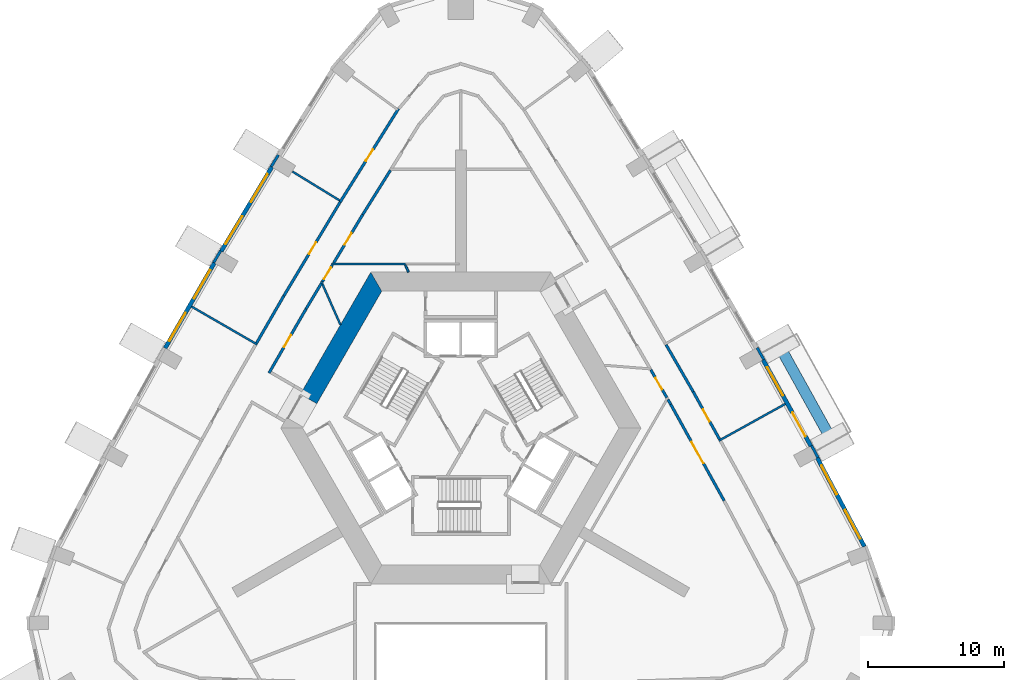
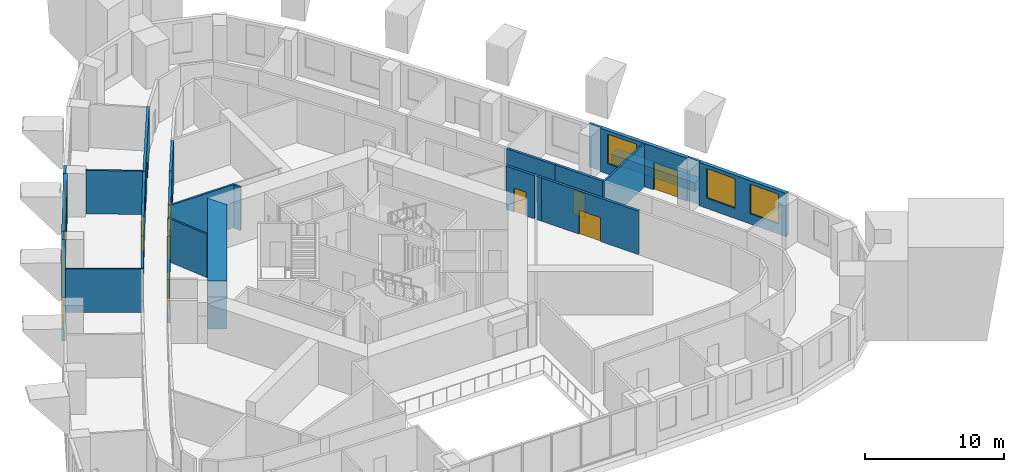
# One storey, part 7 of 13: 29 walls, 9 doors, 7 windows, 16 openings.
"""IFC4 building model written with IfcOpenShell, lengths in metres."""

from ifc_helpers import new_model, si_unit, direction, frame, frame_2d, origin, place, context, subcontext, project, spatial, polyline, rectangle, outline, extrude, material, layer, layer_set, type_object, element, fill, save


model = new_model("IFC4")

# Units and contexts
model_context = context("Model", 3, precision=1e-05, world=origin(), true_north=direction((0.0, 1.0)))
body_context = subcontext(model_context, "Body", "Model", "MODEL_VIEW")
ifc_project = project(units=[si_unit("LENGTHUNIT", "METRE"), si_unit("AREAUNIT", "SQUARE_METRE"), si_unit("VOLUMEUNIT", "CUBIC_METRE"), si_unit("PLANEANGLEUNIT", "RADIAN"), si_unit("MASSUNIT", "GRAM", prefix="KILO")], contexts=[model_context])

# Site, building, storey
site_placement = place(None, origin())
site = spatial("IfcSite", under=ifc_project, at=site_placement, CompositionType="ELEMENT")
building_placement = place(site_placement, origin())
building = spatial("IfcBuilding", under=site, at=building_placement, Name="Entoto Arch Interchange Tower", CompositionType="ELEMENT")
storey_placement = place(building_placement, frame((0.0, 0.0, 227.60009765625)))
storey = spatial("IfcBuildingStorey", under=building, at=storey_placement, Name="L51", CompositionType="ELEMENT", Elevation=227.60009765625)

# Walls
ifc_material_1 = material(Name="Concrete C50/60", Category="concrete")
ifc_layer_1 = layer(ifc_material_1, 1.39990234375)
ifc_layer_set_1 = layer_set([ifc_layer_1], Name="Concrete C50/60")
wall_type_1 = type_object("IfcWallType", Name="Core wall 1400 C50/60", PredefinedType="SHEAR", material=ifc_layer_set_1)
wall_1_placement = place(storey_placement, frame((0.0, 0.0, -0.400146484375)))
element("IfcWall", 1, at=wall_1_placement, inside=storey, type_object=wall_type_1, Name="Core wall NW L51", PredefinedType="SHEAR", context=body_context, shape_type="SweptSolid", body=[
    extrude(outline(polyline([(-11.833984375, 5.001953125), (-10.6220703125, 4.302001953125), (-5.8310546875, 12.60009765625), (-6.639892578125, 14.0), (-11.833984375, 5.001953125)])), origin(), (0.0, 0.0, 1.0), 4.199951171875),
])
ifc_material_2 = material(Name="Gypsum board partition on steel studs", Category="steel")
ifc_layer_2 = layer(ifc_material_2, 0.14990234375)
ifc_layer_set_2 = layer_set([ifc_layer_2], Name="Gypsum board partition on steel studs")
wall_type_2 = type_object("IfcWallType", Name="PARTITION 150", PredefinedType="PARTITIONING", material=ifc_layer_set_2)
wall_2_placement = place(storey_placement, frame((-8.87890625, 10.123046875, 0.0), z_axis=(0.0, 0.0, 1.0), x_axis=(-0.404271206787, 0.914639159102, 0.0)))
element("IfcWall", 2, at=wall_2_placement, inside=storey, type_object=wall_type_2, Name="wall:L51:p080", PredefinedType="PARTITIONING", context=body_context, shape_type="SweptSolid", body=[
    extrude(rectangle(XDim=3.495361328125, YDim=0.14990234375, at=frame_2d((1.74755859375, 0.0))), origin(), (0.0, 0.0, 1.0), 3.7998046875),
])
wall_3_placement = place(storey_placement, frame((-3.85693359375, 14.0, 0.0), z_axis=(0.0, 0.0, 1.0), x_axis=(-0.403443407317, 0.915004599493, 0.0)))
element("IfcWall", 3, at=wall_3_placement, inside=storey, type_object=wall_type_2, Name="wall:L51:p081", PredefinedType="PARTITIONING", context=body_context, shape_type="SweptSolid", body=[
    extrude(rectangle(XDim=0.580322265625, YDim=0.14990234375, at=frame_2d((0.2900390625, 0.0))), origin(), (0.0, 0.0, 1.0), 3.7998046875),
])
wall_4_placement = place(storey_placement, frame((-4.047119140625, 14.60009765625, 0.0), z_axis=(0.0, 0.0, 1.0), x_axis=(-1.0, 0.0, 0.0)))
element("IfcWall", 4, at=wall_4_placement, inside=storey, type_object=wall_type_2, Name="wall:L51:p082", PredefinedType="PARTITIONING", context=body_context, shape_type="SweptSolid", body=[
    extrude(rectangle(XDim=5.47998046875, YDim=0.14990234375, at=frame_2d((2.739990234375, 0.0))), origin(), (0.0, 0.0, 1.0), 3.7998046875),
])
wall_5_placement = place(storey_placement, frame((19.02490234375, 1.570068359375, 0.0), z_axis=(0.0, 0.0, 1.0), x_axis=(0.874714019242, 0.484639437666, 0.0)))
element("IfcWall", 5, at=wall_5_placement, inside=storey, type_object=wall_type_2, Name="wall:L51:p117", PredefinedType="PARTITIONING", context=body_context, shape_type="SweptSolid", body=[
    extrude(rectangle(XDim=5.599853515625, YDim=0.14990234375, at=frame_2d((2.7998046875, 0.0))), origin(), (0.0, 0.0, 1.0), 3.7998046875),
])
wall_6_placement = place(storey_placement, frame((-8.94189453125, 19.2919921875, 0.0), z_axis=(0.0, 0.0, 1.0), x_axis=(-0.85273109234, 0.522350154739, 0.0)))
element("IfcWall", 6, at=wall_6_placement, inside=storey, type_object=wall_type_2, Name="wall:L51:p122", PredefinedType="PARTITIONING", context=body_context, shape_type="SweptSolid", body=[
    extrude(rectangle(XDim=4.079833984375, YDim=0.14990234375, at=frame_2d((2.0400390625, 0.0))), origin(), (0.0, 0.0, 1.0), 3.7998046875),
])
wall_7_placement = place(storey_placement, frame((-15.010009765625, 8.6650390625, 0.0), z_axis=(0.0, 0.0, 1.0), x_axis=(-0.865961984968, 0.500109828528, 0.0)))
element("IfcWall", 7, at=wall_7_placement, inside=storey, type_object=wall_type_2, Name="wall:L51:p123", PredefinedType="PARTITIONING", context=body_context, shape_type="SweptSolid", body=[
    extrude(rectangle(XDim=5.600830078125, YDim=0.14990234375, at=frame_2d((2.80029296875, 0.0))), origin(), (0.0, 0.0, 1.0), 3.7998046875),
])

# Wall, opening, door
ifc_layer_3 = layer(ifc_material_2, 0.199951171875)
ifc_layer_set_3 = layer_set([ifc_layer_3], Name="Gypsum board partition on steel studs")
wall_type_3 = type_object("IfcWallType", Name="PARTITION 200", PredefinedType="PARTITIONING", material=ifc_layer_set_3)
wall_8_placement = place(storey_placement, frame((-9.466064453125, 14.535888671875, 0.0), z_axis=(0.0, 0.0, 1.0), x_axis=(-0.514545292, -0.857463201823, 0.0)))
wall_8 = element("IfcWall", 8, at=wall_8_placement, inside=storey, type_object=wall_type_3, Name="wall:L51:p001", PredefinedType="PARTITIONING", context=body_context, shape_type="SweptSolid", body=[
    extrude(rectangle(XDim=1.449462890625, YDim=0.199951171875, at=frame_2d((0.724609375, 0.0))), origin(), (0.0, 0.0, 1.0), 3.7998046875),
])
opening_1_placement = place(wall_8_placement, frame((0.22509765625, 0.0, 0.0)))
opening_1 = element("IfcOpeningElement", 9, at=opening_1_placement, cuts=wall_8, Name="Opening L51-D32", PredefinedType="OPENING", context=body_context, shape_type="SweptSolid", body=[
    extrude(rectangle(XDim=1.0, YDim=2.10009765625, at=frame_2d((0.5, 1.050048828125))), frame((0.0, 0.10986328125, 0.0), z_axis=(0.0, -1.0, 0.0), x_axis=(1.0, 0.0, 0.0)), (0.0, 0.0, 1.0), 0.219970703125),
])
ifc_material_3 = material(Name="Timber door leaf in Steel S235 frame", Category="steel")
door_type_1 = type_object("IfcDoorType", Name="DOOR DS-10 1000x2100", OperationType="SINGLE_SWING_LEFT", PredefinedType="DOOR", material=ifc_material_3)
door_1_placement = place(opening_1_placement, origin())
door_1 = element("IfcDoor", 10, at=door_1_placement, inside=storey, type_object=door_type_1, Name="door:L51:32", OperationType="SINGLE_SWING_RIGHT", OverallHeight=2.10009765625, OverallWidth=1.0, PredefinedType="DOOR", context=body_context, shape_type="SweptSolid", body=[
    extrude(rectangle(XDim=1.0, YDim=2.10009765625, at=frame_2d((0.5, 1.050048828125))), frame((0.0, 0.02490234375, 0.0), z_axis=(0.0, -1.0, 0.0), x_axis=(1.0, 0.0, 0.0)), (0.0, 0.0, 1.0), 0.050048828125),
])
fill(opening_1, door_1)

# Wall
wall_9_placement = place(storey_placement, frame((-10.2900390625, 13.1640625, 0.0), z_axis=(0.0, 0.0, 1.0), x_axis=(-0.514904735811, -0.857247404802, 0.0)))
element("IfcWall", 11, at=wall_9_placement, inside=storey, type_object=wall_type_3, Name="wall:L51:p002", PredefinedType="PARTITIONING", context=body_context, shape_type="SweptSolid", body=[
    extrude(rectangle(XDim=2.1943359375, YDim=0.199951171875, at=frame_2d((1.09716796875, 0.0))), origin(), (0.0, 0.0, 1.0), 3.7998046875),
])

# Wall, opening, door
wall_10_placement = place(storey_placement, frame((-11.419921875, 11.282958984375, 0.0), z_axis=(0.0, 0.0, 1.0), x_axis=(-0.500179011873, -0.86592202656, 0.0)))
wall_10 = element("IfcWall", 12, at=wall_10_placement, inside=storey, type_object=wall_type_3, Name="wall:L51:p003", PredefinedType="PARTITIONING", context=body_context, shape_type="SweptSolid", body=[
    extrude(rectangle(XDim=5.4462890625, YDim=0.199951171875, at=frame_2d((2.72314453125, 0.0))), origin(), (0.0, 0.0, 1.0), 3.7998046875),
])
opening_2_placement = place(wall_10_placement, frame((2.222900390625, 0.0, 0.0)))
opening_2 = element("IfcOpeningElement", 13, at=opening_2_placement, cuts=wall_10, Name="Opening L51-D24", PredefinedType="OPENING", context=body_context, shape_type="SweptSolid", body=[
    extrude(rectangle(XDim=1.0, YDim=2.10009765625, at=frame_2d((0.5, 1.050048828125))), frame((0.0, 0.10986328125, 0.0), z_axis=(0.0, -1.0, 0.0), x_axis=(1.0, 0.0, 0.0)), (0.0, 0.0, 1.0), 0.219970703125),
])
door_2_placement = place(opening_2_placement, origin())
door_2 = element("IfcDoor", 14, at=door_2_placement, inside=storey, type_object=door_type_1, Name="door:L51:24", OperationType="SINGLE_SWING_LEFT", OverallHeight=2.10009765625, OverallWidth=1.0, PredefinedType="DOOR", context=body_context, shape_type="SweptSolid", body=[
    extrude(rectangle(XDim=1.0, YDim=2.10009765625, at=frame_2d((0.5, 1.050048828125))), frame((0.0, 0.02490234375, 0.0), z_axis=(0.0, -1.0, 0.0), x_axis=(1.0, 0.0, 0.0)), (0.0, 0.0, 1.0), 0.050048828125),
])
fill(opening_2, door_2)

wall_11_placement = place(storey_placement, frame((15.194091796875, 4.7470703125, 0.0), z_axis=(0.0, 0.0, 1.0), x_axis=(-0.500140598757, 0.865944213836, 0.0)))
wall_11 = element("IfcWall", 15, at=wall_11_placement, inside=storey, type_object=wall_type_3, Name="wall:L51:p005", PredefinedType="PARTITIONING", context=body_context, shape_type="SweptSolid", body=[
    extrude(rectangle(XDim=2.375244140625, YDim=0.199951171875, at=frame_2d((1.1875, 0.0))), origin(), (0.0, 0.0, 1.0), 3.7998046875),
])
opening_3_placement = place(wall_11_placement, frame((0.68798828125, 0.0, 0.0)))
opening_3 = element("IfcOpeningElement", 16, at=opening_3_placement, cuts=wall_11, Name="Opening L51-D25", PredefinedType="OPENING", context=body_context, shape_type="SweptSolid", body=[
    extrude(rectangle(XDim=1.0, YDim=2.10009765625, at=frame_2d((0.5, 1.050048828125))), frame((0.0, 0.10986328125, 0.0), z_axis=(0.0, -1.0, 0.0), x_axis=(1.0, 0.0, 0.0)), (0.0, 0.0, 1.0), 0.219970703125),
])
door_3_placement = place(opening_3_placement, origin())
door_3 = element("IfcDoor", 17, at=door_3_placement, inside=storey, type_object=door_type_1, Name="door:L51:25", OperationType="SINGLE_SWING_LEFT", OverallHeight=2.10009765625, OverallWidth=1.0, PredefinedType="DOOR", context=body_context, shape_type="SweptSolid", body=[
    extrude(rectangle(XDim=1.0, YDim=2.10009765625, at=frame_2d((0.5, 1.050048828125))), frame((0.0, 0.02490234375, 0.0), z_axis=(0.0, -1.0, 0.0), x_axis=(1.0, 0.0, 0.0)), (0.0, 0.0, 1.0), 0.050048828125),
])
fill(opening_3, door_3)

# Wall
wall_12_placement = place(storey_placement, frame((-5.193115234375, 21.514892578125, 0.0), z_axis=(0.0, 0.0, 1.0), x_axis=(-0.530175390862, -0.847887996686, 0.0)))
element("IfcWall", 18, at=wall_12_placement, inside=storey, type_object=wall_type_3, Name="wall:L51:p012", PredefinedType="PARTITIONING", context=body_context, shape_type="SweptSolid", body=[
    extrude(rectangle(XDim=3.855224609375, YDim=0.199951171875, at=frame_2d((1.927734375, 0.0))), origin(), (0.0, 0.0, 1.0), 3.7998046875),
])

# Wall, opening, door
wall_13_placement = place(storey_placement, frame((-7.237060546875, 18.24609375, 0.0), z_axis=(0.0, 0.0, 1.0), x_axis=(-0.514959644878, -0.857214421336, 0.0)))
wall_13 = element("IfcWall", 19, at=wall_13_placement, inside=storey, type_object=wall_type_3, Name="wall:L51:p013", PredefinedType="PARTITIONING", context=body_context, shape_type="SweptSolid", body=[
    extrude(rectangle(XDim=4.1787109375, YDim=0.199951171875, at=frame_2d((2.08935546875, 0.0))), origin(), (0.0, 0.0, 1.0), 3.7998046875),
])
opening_4_placement = place(wall_13_placement, frame((1.589111328125, 0.0, 0.0)))
opening_4 = element("IfcOpeningElement", 20, at=opening_4_placement, cuts=wall_13, Name="Opening L51-D17", PredefinedType="OPENING", context=body_context, shape_type="SweptSolid", body=[
    extrude(rectangle(XDim=1.0, YDim=2.10009765625, at=frame_2d((0.5, 1.050048828125))), frame((0.0, 0.10986328125, 0.0), z_axis=(0.0, -1.0, 0.0), x_axis=(1.0, 0.0, 0.0)), (0.0, 0.0, 1.0), 0.219970703125),
])
door_4_placement = place(opening_4_placement, origin())
door_4 = element("IfcDoor", 21, at=door_4_placement, inside=storey, type_object=door_type_1, Name="door:L51:17", OperationType="SINGLE_SWING_LEFT", OverallHeight=2.10009765625, OverallWidth=1.0, PredefinedType="DOOR", context=body_context, shape_type="SweptSolid", body=[
    extrude(rectangle(XDim=1.0, YDim=2.10009765625, at=frame_2d((0.5, 1.050048828125))), frame((0.0, 0.02490234375, 0.0), z_axis=(0.0, -1.0, 0.0), x_axis=(1.0, 0.0, 0.0)), (0.0, 0.0, 1.0), 0.050048828125),
])
fill(opening_4, door_4)

wall_14_placement = place(storey_placement, frame((19.4189453125, -2.85595703125, 0.0), z_axis=(0.0, 0.0, 1.0), x_axis=(-0.484683114876, 0.874689818252, 0.0)))
wall_14 = element("IfcWall", 22, at=wall_14_placement, inside=storey, type_object=wall_type_3, Name="wall:L51:p027", PredefinedType="PARTITIONING", context=body_context, shape_type="SweptSolid", body=[
    extrude(rectangle(XDim=8.122802734375, YDim=0.199951171875, at=frame_2d((4.0615234375, 0.0))), origin(), (0.0, 0.0, 1.0), 3.7998046875),
])
opening_5_placement = place(wall_14_placement, frame((3.160888671875, 0.0, 0.0)))
opening_5 = element("IfcOpeningElement", 23, at=opening_5_placement, cuts=wall_14, Name="Opening L51-D15", PredefinedType="OPENING", context=body_context, shape_type="SweptSolid", body=[
    extrude(rectangle(XDim=1.800048828125, YDim=2.10009765625, at=frame_2d((0.89990234375, 1.050048828125))), frame((0.0, 0.10986328125, 0.0), z_axis=(0.0, -1.0, 0.0), x_axis=(1.0, 0.0, 0.0)), (0.0, 0.0, 1.0), 0.219970703125),
])
door_type_2 = type_object("IfcDoorType", Name="DOOR DD-18 1800x2100", OperationType="DOUBLE_DOOR_SINGLE_SWING", PredefinedType="DOOR", material=ifc_material_3)
door_5_placement = place(opening_5_placement, origin())
door_5 = element("IfcDoor", 24, at=door_5_placement, inside=storey, type_object=door_type_2, Name="door:L51:15", OperationType="DOUBLE_DOOR_SINGLE_SWING", OverallHeight=2.10009765625, OverallWidth=1.800048828125, PredefinedType="DOOR", context=body_context, shape_type="SweptSolid", body=[
    extrude(rectangle(XDim=1.800048828125, YDim=2.10009765625, at=frame_2d((0.89990234375, 1.050048828125))), frame((0.0, 0.02490234375, 0.0), z_axis=(0.0, -1.0, 0.0), x_axis=(1.0, 0.0, 0.0)), (0.0, 0.0, 1.0), 0.050048828125),
])
fill(opening_5, door_5)

# Walls
wall_15_placement = place(storey_placement, frame((15.48193359375, 4.2490234375, 0.0), z_axis=(0.0, 0.0, 1.0), x_axis=(-0.500832493767, 0.865544229481, 0.0)))
element("IfcWall", 25, at=wall_15_placement, inside=storey, type_object=wall_type_3, Name="wall:L51:p028", PredefinedType="PARTITIONING", context=body_context, shape_type="SweptSolid", body=[
    extrude(rectangle(XDim=0.425048828125, YDim=0.199951171875, at=frame_2d((0.21240234375, 0.0))), origin(), (0.0, 0.0, 1.0), 3.7998046875),
])
wall_16_placement = place(storey_placement, frame((15.135009765625, 8.64990234375, 0.0), z_axis=(0.0, 0.0, 1.0), x_axis=(0.500102734445, -0.865966081899, 0.0)))
element("IfcWall", 26, at=wall_16_placement, inside=storey, type_object=wall_type_3, Name="wall:L51:p048", PredefinedType="PARTITIONING", context=body_context, shape_type="SweptSolid", body=[
    extrude(rectangle(XDim=4.001220703125, YDim=0.199951171875, at=frame_2d((2.00048828125, 0.0))), origin(), (0.0, 0.0, 1.0), 3.7998046875),
])

# Wall, opening, door
wall_17_placement = place(storey_placement, frame((17.135986328125, 5.18505859375, 0.0), z_axis=(0.0, 0.0, 1.0), x_axis=(0.484679349661, -0.874691904623, 0.0)))
wall_17 = element("IfcWall", 27, at=wall_17_placement, inside=storey, type_object=wall_type_3, Name="wall:L51:p049", PredefinedType="PARTITIONING", context=body_context, shape_type="SweptSolid", body=[
    extrude(rectangle(XDim=4.00244140625, YDim=0.199951171875, at=frame_2d((2.001220703125, 0.0))), origin(), (0.0, 0.0, 1.0), 3.7998046875),
])
opening_6_placement = place(wall_17_placement, frame((1.5009765625, 0.0, 0.0)))
opening_6 = element("IfcOpeningElement", 28, at=opening_6_placement, cuts=wall_17, Name="Opening L51-D05", PredefinedType="OPENING", context=body_context, shape_type="SweptSolid", body=[
    extrude(rectangle(XDim=1.0, YDim=2.10009765625, at=frame_2d((0.5, 1.050048828125))), frame((0.0, 0.10986328125, 0.0), z_axis=(0.0, -1.0, 0.0), x_axis=(1.0, 0.0, 0.0)), (0.0, 0.0, 1.0), 0.219970703125),
])
door_6_placement = place(opening_6_placement, origin())
door_6 = element("IfcDoor", 29, at=door_6_placement, inside=storey, type_object=door_type_1, Name="door:L51:05", OperationType="SINGLE_SWING_LEFT", OverallHeight=2.10009765625, OverallWidth=1.0, PredefinedType="DOOR", context=body_context, shape_type="SweptSolid", body=[
    extrude(rectangle(XDim=1.0, YDim=2.10009765625, at=frame_2d((0.5, 1.050048828125))), frame((0.0, 0.02490234375, 0.0), z_axis=(0.0, -1.0, 0.0), x_axis=(1.0, 0.0, 0.0)), (0.0, 0.0, 1.0), 0.050048828125),
])
fill(opening_6, door_6)

wall_18_placement = place(storey_placement, frame((-8.89599609375, 19.176025390625, 0.0), z_axis=(0.0, 0.0, 1.0), x_axis=(0.529985425286, 0.848006750553, 0.0)))
wall_18 = element("IfcWall", 30, at=wall_18_placement, inside=storey, type_object=wall_type_3, Name="wall:L51:p058", PredefinedType="PARTITIONING", context=body_context, shape_type="SweptSolid", body=[
    extrude(rectangle(XDim=8.119140625, YDim=0.199951171875, at=frame_2d((4.0595703125, 0.0))), origin(), (0.0, 0.0, 1.0), 3.7998046875),
])
opening_7_placement = place(wall_18_placement, frame((3.56005859375, 0.0, 0.0)))
opening_7 = element("IfcOpeningElement", 31, at=opening_7_placement, cuts=wall_18, Name="Opening L51-D09", PredefinedType="OPENING", context=body_context, shape_type="SweptSolid", body=[
    extrude(rectangle(XDim=1.0, YDim=2.10009765625, at=frame_2d((0.5, 1.050048828125))), frame((0.0, 0.10986328125, 0.0), z_axis=(0.0, -1.0, 0.0), x_axis=(1.0, 0.0, 0.0)), (0.0, 0.0, 1.0), 0.219970703125),
])
door_7_placement = place(opening_7_placement, origin())
door_7 = element("IfcDoor", 32, at=door_7_placement, inside=storey, type_object=door_type_1, Name="door:L51:09", OperationType="SINGLE_SWING_LEFT", OverallHeight=2.10009765625, OverallWidth=1.0, PredefinedType="DOOR", context=body_context, shape_type="SweptSolid", body=[
    extrude(rectangle(XDim=1.0, YDim=2.10009765625, at=frame_2d((0.5, 1.050048828125))), frame((0.0, 0.02490234375, 0.0), z_axis=(0.0, -1.0, 0.0), x_axis=(1.0, 0.0, 0.0)), (0.0, 0.0, 1.0), 0.050048828125),
])
fill(opening_7, door_7)

# Wall
wall_19_placement = place(storey_placement, frame((-15.05908203125, 8.780029296875, 0.0), z_axis=(0.0, 0.0, 1.0), x_axis=(0.500093699572, 0.865971299552, 0.0)))
element("IfcWall", 33, at=wall_19_placement, inside=storey, type_object=wall_type_3, Name="wall:L51:p059", PredefinedType="PARTITIONING", context=body_context, shape_type="SweptSolid", body=[
    extrude(rectangle(XDim=4.003662109375, YDim=0.199951171875, at=frame_2d((2.001953125, 0.0))), origin(), (0.0, 0.0, 1.0), 3.7998046875),
])

# Wall, opening, door
wall_20_placement = place(storey_placement, frame((-13.056884765625, 12.2470703125, 0.0), z_axis=(0.0, 0.0, 1.0), x_axis=(0.51490435266, 0.857247634941, 0.0)))
wall_20 = element("IfcWall", 34, at=wall_20_placement, inside=storey, type_object=wall_type_3, Name="wall:L51:p060", PredefinedType="PARTITIONING", context=body_context, shape_type="SweptSolid", body=[
    extrude(rectangle(XDim=8.082763671875, YDim=0.199951171875, at=frame_2d((4.04150390625, 0.0))), origin(), (0.0, 0.0, 1.0), 3.7998046875),
])
opening_8_placement = place(wall_20_placement, frame((3.615966796875, 0.0, 0.0)))
opening_8 = element("IfcOpeningElement", 35, at=opening_8_placement, cuts=wall_20, Name="Opening L51-D10", PredefinedType="OPENING", context=body_context, shape_type="SweptSolid", body=[
    extrude(rectangle(XDim=1.0, YDim=2.10009765625, at=frame_2d((0.5, 1.050048828125))), frame((0.0, 0.10986328125, 0.0), z_axis=(0.0, -1.0, 0.0), x_axis=(1.0, 0.0, 0.0)), (0.0, 0.0, 1.0), 0.219970703125),
])
door_8_placement = place(opening_8_placement, origin())
door_8 = element("IfcDoor", 36, at=door_8_placement, inside=storey, type_object=door_type_1, Name="door:L51:10", OperationType="SINGLE_SWING_RIGHT", OverallHeight=2.10009765625, OverallWidth=1.0, PredefinedType="DOOR", context=body_context, shape_type="SweptSolid", body=[
    extrude(rectangle(XDim=1.0, YDim=2.10009765625, at=frame_2d((0.5, 1.050048828125))), frame((0.0, 0.02490234375, 0.0), z_axis=(0.0, -1.0, 0.0), x_axis=(1.0, 0.0, 0.0)), (0.0, 0.0, 1.0), 0.050048828125),
])
fill(opening_8, door_8)

# Wall
ifc_material_4 = material(Name="Board-marked precast concrete C50/60", Category="concrete")
ifc_layer_4 = layer(ifc_material_4, 0.800048828125)
ifc_layer_set_4 = layer_set([ifc_layer_4], Name="Board-marked precast concrete C50/60")
wall_type_4 = type_object("IfcWallType", Name="PLANTER RC 800 Juniperus procera", PredefinedType="STANDARD", material=ifc_layer_set_4)
wall_21_placement = place(storey_placement, frame((27.12109375, 2.02099609375, 0.0), z_axis=(0.0, 0.0, 1.0), x_axis=(-0.484785237665, 0.874633222181, 0.0)))
element("IfcWall", 37, at=wall_21_placement, inside=storey, type_object=wall_type_4, Name="Planter NE-02 L51", PredefinedType="STANDARD", context=body_context, shape_type="SweptSolid", body=[
    extrude(rectangle(XDim=7.05908203125, YDim=0.800048828125, at=frame_2d((3.529541015625, 0.0))), origin(), (0.0, 0.0, 1.0), 0.7998046875),
])

# Wall, openings, windows
ifc_material_5 = material(Name="Welded tuff (ignimbrite) cladding, warm buff", Category="masonry")
ifc_layer_5 = layer(ifc_material_5, 0.300048828125)
ifc_layer_set_5 = layer_set([ifc_layer_5], Name="Welded tuff (ignimbrite) cladding, warm buff")
wall_type_5 = type_object("IfcWallType", Name="STONE INFILL WALL 300", PredefinedType="STANDARD", material=ifc_layer_set_5)
wall_22_placement = place(storey_placement, frame((29.764892578125, -6.23193359375, 0.0), z_axis=(0.0, 0.0, 1.0), x_axis=(-0.469429229062, 0.882970100797, 0.0)))
wall_22 = element("IfcWall", 38, at=wall_22_placement, inside=storey, type_object=wall_type_5, Name="Facade wall NE-01 L51", PredefinedType="STANDARD", context=body_context, shape_type="SweptSolid", body=[
    extrude(rectangle(XDim=7.404296875, YDim=0.300048828125, at=frame_2d((3.7021484375, 0.0))), origin(), (0.0, 0.0, 1.0), 3.7998046875),
])
opening_9_placement = place(wall_22_placement, frame((0.65087890625, 0.0, 0.89990234375)))
opening_9 = element("IfcOpeningElement", 39, at=opening_9_placement, cuts=wall_22, Name="Opening WO-A", PredefinedType="OPENING", context=body_context, shape_type="SweptSolid", body=[
    extrude(rectangle(XDim=2.39990234375, YDim=2.60009765625, at=frame_2d((1.199951171875, 1.300048828125))), frame((0.0, 0.16015625, 0.0), z_axis=(0.0, -1.0, 0.0), x_axis=(1.0, 0.0, 0.0)), (0.0, 0.0, 1.0), 0.320068359375),
])
opening_10_placement = place(wall_22_placement, frame((4.35302734375, 0.0, 0.89990234375)))
opening_10 = element("IfcOpeningElement", 40, at=opening_10_placement, cuts=wall_22, Name="Opening WO-A", PredefinedType="OPENING", context=body_context, shape_type="SweptSolid", body=[
    extrude(rectangle(XDim=2.39990234375, YDim=2.60009765625, at=frame_2d((1.199951171875, 1.300048828125))), frame((0.0, 0.16015625, 0.0), z_axis=(0.0, -1.0, 0.0), x_axis=(1.0, 0.0, 0.0)), (0.0, 0.0, 1.0), 0.320068359375),
])
ifc_material_6 = material(Name="Clear glass, low-e double glazed", Category="glass")
window_type = type_object("IfcWindowType", Name="WINDOW WO-A 2400x2600", PartitioningType="DOUBLE_PANEL_VERTICAL", PredefinedType="WINDOW", material=ifc_material_6)
window_1_placement = place(opening_9_placement, origin())
window_1 = element("IfcWindow", 41, at=window_1_placement, inside=storey, type_object=window_type, Name="Window WO-A NE-01 L51", OverallHeight=2.60009765625, OverallWidth=2.39990234375, PartitioningType="SINGLE_PANEL", PredefinedType="WINDOW", context=body_context, shape_type="SweptSolid", body=[
    extrude(rectangle(XDim=2.39990234375, YDim=2.60009765625, at=frame_2d((1.199951171875, 1.300048828125))), frame((0.0, 0.030029296875, 0.0), z_axis=(0.0, -1.0, 0.0), x_axis=(1.0, 0.0, 0.0)), (0.0, 0.0, 1.0), 0.06005859375),
])
fill(opening_9, window_1)
window_2_placement = place(opening_10_placement, origin())
window_2 = element("IfcWindow", 42, at=window_2_placement, inside=storey, type_object=window_type, Name="Window WO-A NE-01 L51", OverallHeight=2.60009765625, OverallWidth=2.39990234375, PartitioningType="SINGLE_PANEL", PredefinedType="WINDOW", context=body_context, shape_type="SweptSolid", body=[
    extrude(rectangle(XDim=2.39990234375, YDim=2.60009765625, at=frame_2d((1.199951171875, 1.300048828125))), frame((0.0, 0.030029296875, 0.0), z_axis=(0.0, -1.0, 0.0), x_axis=(1.0, 0.0, 0.0)), (0.0, 0.0, 1.0), 0.06005859375),
])
fill(opening_10, window_2)

# Wall, openings, door, window
wall_23_placement = place(storey_placement, frame((25.81298828125, 1.18310546875, 0.0), z_axis=(0.0, 0.0, 1.0), x_axis=(-0.484742980126, 0.874656643043, 0.0)))
wall_23 = element("IfcWall", 43, at=wall_23_placement, inside=storey, type_object=wall_type_5, Name="Facade wall NE-02 L51", PredefinedType="STANDARD", context=body_context, shape_type="SweptSolid", body=[
    extrude(rectangle(XDim=7.257568359375, YDim=0.300048828125, at=frame_2d((3.62890625, 0.0))), origin(), (0.0, 0.0, 1.0), 3.7998046875),
])
opening_11_placement = place(wall_23_placement, frame((0.81396484375, 0.0, 0.0)))
opening_11 = element("IfcOpeningElement", 44, at=opening_11_placement, cuts=wall_23, Name="Opening DB-NE-02-L51", PredefinedType="OPENING", context=body_context, shape_type="SweptSolid", body=[
    extrude(rectangle(XDim=2.0, YDim=2.39990234375, at=frame_2d((1.0, 1.199951171875))), frame((0.0, 0.16015625, 0.0), z_axis=(0.0, -1.0, 0.0), x_axis=(1.0, 0.0, 0.0)), (0.0, 0.0, 1.0), 0.320068359375),
])
opening_12_placement = place(wall_23_placement, frame((4.242919921875, 0.0, 0.89990234375)))
opening_12 = element("IfcOpeningElement", 45, at=opening_12_placement, cuts=wall_23, Name="Opening WO-A", PredefinedType="OPENING", context=body_context, shape_type="SweptSolid", body=[
    extrude(rectangle(XDim=2.39990234375, YDim=2.60009765625, at=frame_2d((1.199951171875, 1.300048828125))), frame((0.0, 0.16015625, 0.0), z_axis=(0.0, -1.0, 0.0), x_axis=(1.0, 0.0, 0.0)), (0.0, 0.0, 1.0), 0.320068359375),
])
ifc_material_7 = material(Name="Aluminium and clear glass, anodised", Category="aluminium")
door_type_3 = type_object("IfcDoorType", Name="BALCONY DOOR DB 2000x2400", OperationType="SLIDING_TO_LEFT", PredefinedType="DOOR", material=ifc_material_7)
door_9_placement = place(opening_11_placement, origin())
door_9 = element("IfcDoor", 46, at=door_9_placement, inside=storey, type_object=door_type_3, Name="Balcony door NE-02 L51", OperationType="SLIDING_TO_LEFT", OverallHeight=2.39990234375, OverallWidth=2.0, PredefinedType="DOOR", context=body_context, shape_type="SweptSolid", body=[
    extrude(rectangle(XDim=2.0, YDim=2.39990234375, at=frame_2d((1.0, 1.199951171875))), frame((0.0, 0.02490234375, 0.0), z_axis=(0.0, -1.0, 0.0), x_axis=(1.0, 0.0, 0.0)), (0.0, 0.0, 1.0), 0.050048828125),
])
fill(opening_11, door_9)
window_3_placement = place(opening_12_placement, origin())
window_3 = element("IfcWindow", 47, at=window_3_placement, inside=storey, type_object=window_type, Name="Window WO-A NE-02 L51", OverallHeight=2.60009765625, OverallWidth=2.39990234375, PartitioningType="SINGLE_PANEL", PredefinedType="WINDOW", context=body_context, shape_type="SweptSolid", body=[
    extrude(rectangle(XDim=2.39990234375, YDim=2.60009765625, at=frame_2d((1.199951171875, 1.300048828125))), frame((0.0, 0.030029296875, 0.0), z_axis=(0.0, -1.0, 0.0), x_axis=(1.0, 0.0, 0.0)), (0.0, 0.0, 1.0), 0.06005859375),
])
fill(opening_12, window_3)

# Wall, openings, windows
wall_24_placement = place(storey_placement, frame((-13.930908203125, 21.762939453125, 0.0), z_axis=(0.0, 0.0, 1.0), x_axis=(-0.515049705348, -0.857160312323, 0.0)))
wall_24 = element("IfcWall", 48, at=wall_24_placement, inside=storey, type_object=wall_type_5, Name="Facade wall NW-02 L51", PredefinedType="STANDARD", context=body_context, shape_type="SweptSolid", body=[
    extrude(rectangle(XDim=7.257568359375, YDim=0.300048828125, at=frame_2d((3.62890625, 0.0))), origin(), (0.0, 0.0, 1.0), 3.7998046875),
])
opening_13_placement = place(wall_24_placement, frame((0.614013671875, 0.0, 0.89990234375)))
opening_13 = element("IfcOpeningElement", 49, at=opening_13_placement, cuts=wall_24, Name="Opening WO-A", PredefinedType="OPENING", context=body_context, shape_type="SweptSolid", body=[
    extrude(rectangle(XDim=2.39990234375, YDim=2.60009765625, at=frame_2d((1.199951171875, 1.300048828125))), frame((0.0, 0.16015625, 0.0), z_axis=(0.0, -1.0, 0.0), x_axis=(1.0, 0.0, 0.0)), (0.0, 0.0, 1.0), 0.320068359375),
])
opening_14_placement = place(wall_24_placement, frame((4.242919921875, 0.0, 0.89990234375)))
opening_14 = element("IfcOpeningElement", 50, at=opening_14_placement, cuts=wall_24, Name="Opening WO-A", PredefinedType="OPENING", context=body_context, shape_type="SweptSolid", body=[
    extrude(rectangle(XDim=2.39990234375, YDim=2.60009765625, at=frame_2d((1.199951171875, 1.300048828125))), frame((0.0, 0.16015625, 0.0), z_axis=(0.0, -1.0, 0.0), x_axis=(1.0, 0.0, 0.0)), (0.0, 0.0, 1.0), 0.320068359375),
])
window_4_placement = place(opening_13_placement, origin())
window_4 = element("IfcWindow", 51, at=window_4_placement, inside=storey, type_object=window_type, Name="Window WO-A NW-02 L51", OverallHeight=2.60009765625, OverallWidth=2.39990234375, PartitioningType="SINGLE_PANEL", PredefinedType="WINDOW", context=body_context, shape_type="SweptSolid", body=[
    extrude(rectangle(XDim=2.39990234375, YDim=2.60009765625, at=frame_2d((1.199951171875, 1.300048828125))), frame((0.0, 0.030029296875, 0.0), z_axis=(0.0, -1.0, 0.0), x_axis=(1.0, 0.0, 0.0)), (0.0, 0.0, 1.0), 0.06005859375),
])
fill(opening_13, window_4)
window_5_placement = place(opening_14_placement, origin())
window_5 = element("IfcWindow", 52, at=window_5_placement, inside=storey, type_object=window_type, Name="Window WO-A NW-02 L51", OverallHeight=2.60009765625, OverallWidth=2.39990234375, PartitioningType="SINGLE_PANEL", PredefinedType="WINDOW", context=body_context, shape_type="SweptSolid", body=[
    extrude(rectangle(XDim=2.39990234375, YDim=2.60009765625, at=frame_2d((1.199951171875, 1.300048828125))), frame((0.0, 0.030029296875, 0.0), z_axis=(0.0, -1.0, 0.0), x_axis=(1.0, 0.0, 0.0)), (0.0, 0.0, 1.0), 0.06005859375),
])
fill(opening_14, window_5)

wall_25_placement = place(storey_placement, frame((-18.175048828125, 14.68310546875, 0.0), z_axis=(0.0, 0.0, 1.0), x_axis=(-0.500075798504, -0.865981637075, 0.0)))
wall_25 = element("IfcWall", 53, at=wall_25_placement, inside=storey, type_object=wall_type_5, Name="Facade wall NW-03 L51", PredefinedType="STANDARD", context=body_context, shape_type="SweptSolid", body=[
    extrude(rectangle(XDim=7.256591796875, YDim=0.300048828125, at=frame_2d((3.62841796875, 0.0))), origin(), (0.0, 0.0, 1.0), 3.7998046875),
])
opening_15_placement = place(wall_25_placement, frame((0.614013671875, 0.0, 0.89990234375)))
opening_15 = element("IfcOpeningElement", 54, at=opening_15_placement, cuts=wall_25, Name="Opening WO-A", PredefinedType="OPENING", context=body_context, shape_type="SweptSolid", body=[
    extrude(rectangle(XDim=2.39990234375, YDim=2.60009765625, at=frame_2d((1.199951171875, 1.300048828125))), frame((0.0, 0.16015625, 0.0), z_axis=(0.0, -1.0, 0.0), x_axis=(1.0, 0.0, 0.0)), (0.0, 0.0, 1.0), 0.320068359375),
])
opening_16_placement = place(wall_25_placement, frame((4.241943359375, 0.0, 0.89990234375)))
opening_16 = element("IfcOpeningElement", 55, at=opening_16_placement, cuts=wall_25, Name="Opening WO-A", PredefinedType="OPENING", context=body_context, shape_type="SweptSolid", body=[
    extrude(rectangle(XDim=2.39990234375, YDim=2.60009765625, at=frame_2d((1.199951171875, 1.300048828125))), frame((0.0, 0.16015625, 0.0), z_axis=(0.0, -1.0, 0.0), x_axis=(1.0, 0.0, 0.0)), (0.0, 0.0, 1.0), 0.320068359375),
])
window_6_placement = place(opening_15_placement, origin())
window_6 = element("IfcWindow", 56, at=window_6_placement, inside=storey, type_object=window_type, Name="Window WO-A NW-03 L51", OverallHeight=2.60009765625, OverallWidth=2.39990234375, PartitioningType="SINGLE_PANEL", PredefinedType="WINDOW", context=body_context, shape_type="SweptSolid", body=[
    extrude(rectangle(XDim=2.39990234375, YDim=2.60009765625, at=frame_2d((1.199951171875, 1.300048828125))), frame((0.0, 0.030029296875, 0.0), z_axis=(0.0, -1.0, 0.0), x_axis=(1.0, 0.0, 0.0)), (0.0, 0.0, 1.0), 0.06005859375),
])
fill(opening_15, window_6)
window_7_placement = place(opening_16_placement, origin())
window_7 = element("IfcWindow", 57, at=window_7_placement, inside=storey, type_object=window_type, Name="Window WO-A NW-03 L51", OverallHeight=2.60009765625, OverallWidth=2.39990234375, PartitioningType="SINGLE_PANEL", PredefinedType="WINDOW", context=body_context, shape_type="SweptSolid", body=[
    extrude(rectangle(XDim=2.39990234375, YDim=2.60009765625, at=frame_2d((1.199951171875, 1.300048828125))), frame((0.0, 0.030029296875, 0.0), z_axis=(0.0, -1.0, 0.0), x_axis=(1.0, 0.0, 0.0)), (0.0, 0.0, 1.0), 0.06005859375),
])
fill(opening_16, window_7)

# Walls
ifc_layer_6 = layer(ifc_material_5, 0.199951171875)
ifc_layer_set_6 = layer_set([ifc_layer_6], Name="Welded tuff (ignimbrite) cladding, warm buff")
wall_type_6 = type_object("IfcWallType", Name="STONE PIER CLADDING 200", PredefinedType="STANDARD", material=ifc_layer_set_6)
wall_26_placement = place(storey_placement, frame((26.3359375, 0.330078125, 0.0), z_axis=(0.0, 0.0, 1.0), x_axis=(-0.473765014438, 0.880651299377, 0.0)))
element("IfcWall", 58, at=wall_26_placement, inside=storey, type_object=wall_type_6, Name="Stone pier NE02 L51", PredefinedType="STANDARD", context=body_context, shape_type="SweptSolid", body=[
    extrude(rectangle(XDim=1.000244140625, YDim=0.199951171875, at=frame_2d((0.5, 0.0))), origin(), (0.0, 0.0, 1.0), 3.7998046875),
])
for number, where, z_axis, x_axis, name in (
    (59, (22.343017578125, 7.555908203125, 0.0), (0.0, 0.0, 1.0), (-0.491743606947, 0.87074004446, 0.0), "Stone pier NE03 L51"),
    (60, (-13.4541015625, 22.64306640625, 0.0), (0.0, 0.0, 1.0), (-0.525648735675, -0.850701714282, 0.0), "Stone pier NW02 L51"),
):
    element("IfcWall", number, at=place(storey_placement, frame(where, z_axis=z_axis, x_axis=x_axis)), inside=storey, type_object=wall_type_6, Name=name, PredefinedType="STANDARD", context=body_context, shape_type="SweptSolid", body=[
        extrude(rectangle(XDim=1.00048828125, YDim=0.199951171875, at=frame_2d((0.500244140625, 0.0))), origin(), (0.0, 0.0, 1.0), 3.7998046875),
    ])
wall_27_placement = place(storey_placement, frame((-17.715087890625, 15.571044921875, 0.0), z_axis=(0.0, 0.0, 1.0), x_axis=(-0.507980373775, -0.861368643416, 0.0)))
element("IfcWall", 61, at=wall_27_placement, inside=storey, type_object=wall_type_6, Name="Stone pier NW03 L51", PredefinedType="STANDARD", context=body_context, shape_type="SweptSolid", body=[
    extrude(rectangle(XDim=0.999755859375, YDim=0.199951171875, at=frame_2d((0.5, 0.0))), origin(), (0.0, 0.0, 1.0), 3.7998046875),
])

save(model, "model.ifc")
